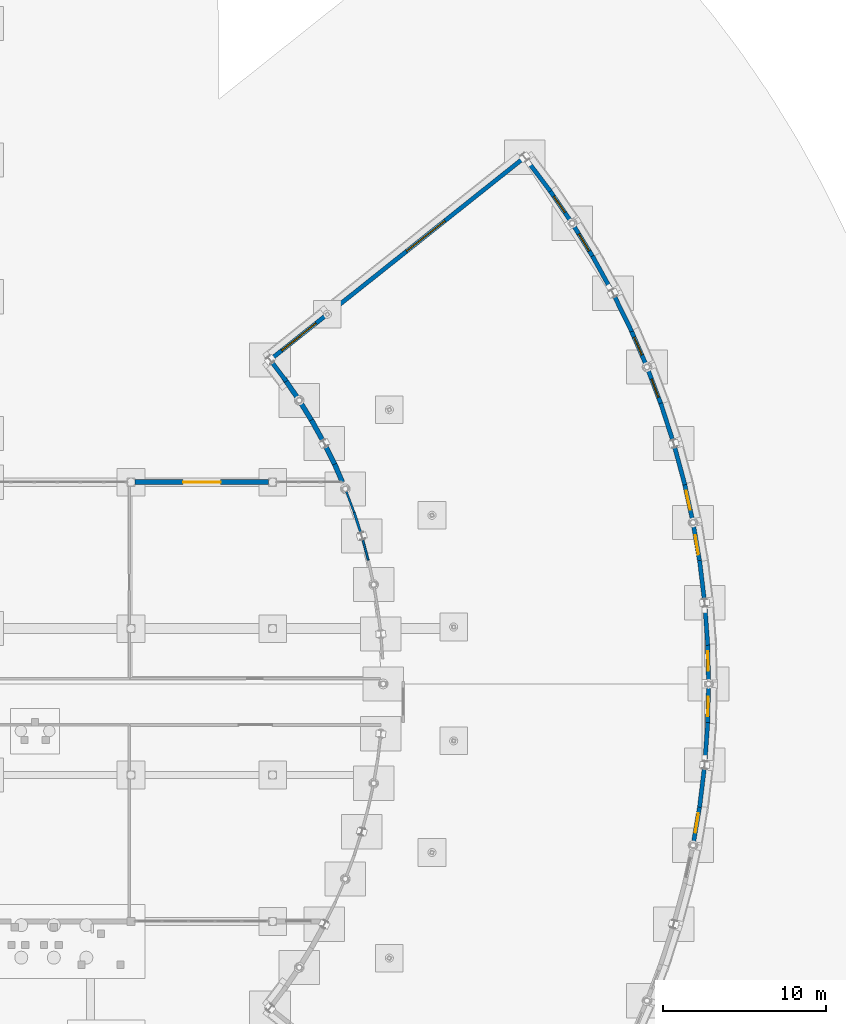
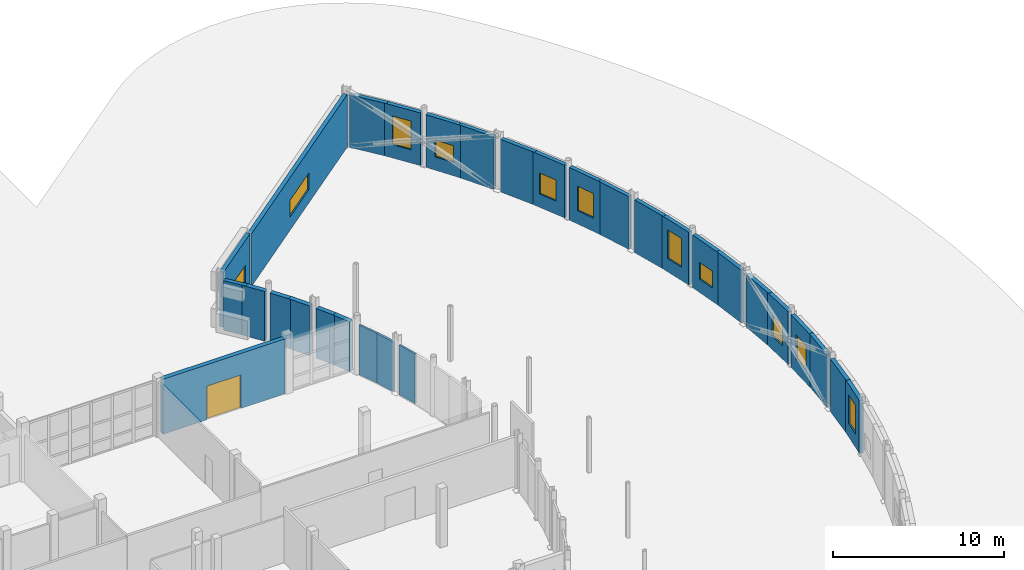
# One storey, part 66 of 88: 30 walls, 11 windows, 1 door, 12 openings.
"""IFC4 building model written with IfcOpenShell, lengths in metres."""

from ifc_helpers import new_model, si_unit, direction, frame, frame_2d, origin, place, context, subcontext, project, spatial, rectangle, extrude, material, layer, layer_set, type_object, element, fill, save


model = new_model("IFC4")

# Units and contexts
model_context = context("Model", 3, precision=1e-05, world=origin(), true_north=direction((0.0, 1.0)))
body_context = subcontext(model_context, "Body", "Model", "MODEL_VIEW")
ifc_project = project(units=[si_unit("LENGTHUNIT", "METRE"), si_unit("AREAUNIT", "SQUARE_METRE"), si_unit("VOLUMEUNIT", "CUBIC_METRE"), si_unit("PLANEANGLEUNIT", "RADIAN"), si_unit("MASSUNIT", "GRAM", prefix="KILO")], contexts=[model_context])

# Site, building, storey
site_placement = place(None, origin())
site = spatial("IfcSite", under=ifc_project, at=site_placement, CompositionType="ELEMENT")
building_placement = place(site_placement, origin())
building = spatial("IfcBuilding", under=site, at=building_placement, Name="Vanh Quang Courtyard School", CompositionType="ELEMENT")
storey_placement = place(building_placement, origin())
storey = spatial("IfcBuildingStorey", under=building, at=storey_placement, Name="L00", CompositionType="ELEMENT", Elevation=0.0)

# Wall
ifc_material_1 = material(Name="Precast concrete C40/50", Category="concrete")
ifc_layer_1 = layer(ifc_material_1, 0.260009765625)
ifc_layer_set_1 = layer_set([ifc_layer_1], Name="Precast concrete C40/50")
wall_type_1 = type_object("IfcWallType", Name="W-EXT-260", PredefinedType="SOLIDWALL", material=ifc_layer_set_1)
wall_1_placement = place(storey_placement, frame((138.042724609375, 74.600341796875, 0.0), z_axis=(0.0, 0.0, 1.0), x_axis=(-0.603492572952, 0.797368618891, 0.0)))
element("IfcWall", 1, at=wall_1_placement, inside=storey, type_object=wall_type_1, Name="Wall WE-02 (L00)", PredefinedType="SOLIDWALL", context=body_context, shape_type="SweptSolid", body=[
    extrude(rectangle(XDim=1.42919921875, YDim=0.260009765625, at=frame_2d((0.714599609375, 0.0))), origin(), (0.0, 0.0, 1.0), 3.5400390625),
])

# Wall, opening, window
wall_2_placement = place(storey_placement, frame((137.1591796875, 76.0126953125, 0.0), z_axis=(0.0, 0.0, 1.0), x_axis=(0.782633537419, 0.622482727557, 0.0)))
wall_2 = element("IfcWall", 2, at=wall_2_placement, inside=storey, type_object=wall_type_1, Name="Wall WE-02 (L00)", PredefinedType="SOLIDWALL", context=body_context, shape_type="SweptSolid", body=[
    extrude(rectangle(XDim=4.244140625, YDim=0.260009765625, at=frame_2d((2.1220703125, 0.0))), origin(), (0.0, 0.0, 1.0), 3.919921875),
])
opening_1_placement = place(wall_2_placement, frame((0.77197265625, 0.0, 0.949951171875)))
opening_1 = element("IfcOpeningElement", 3, at=opening_1_placement, cuts=wall_2, Name="Opening WN-06", PredefinedType="OPENING", context=body_context, shape_type="SweptSolid", body=[
    extrude(rectangle(XDim=2.699951171875, YDim=1.199951171875, at=frame_2d((1.35009765625, 0.60009765625))), frame((0.0, 0.14013671875, 0.0), z_axis=(0.0, -1.0, 0.0), x_axis=(1.0, 0.0, 0.0)), (0.0, 0.0, 1.0), 0.280029296875),
])
ifc_material_2 = material(Name="Anodised aluminium and low-E double glazing", Category="aluminium")
window_type_1 = type_object("IfcWindowType", Name="WIN-TYP-06", PartitioningType="SINGLE_PANEL", PredefinedType="WINDOW", material=ifc_material_2)
window_1_placement = place(opening_1_placement, origin())
window_1 = element("IfcWindow", 4, at=window_1_placement, inside=storey, type_object=window_type_1, Name="Window WN-06 (L00)", OverallHeight=1.199951171875, OverallWidth=2.699951171875, PartitioningType="SINGLE_PANEL", PredefinedType="WINDOW", context=body_context, shape_type="SweptSolid", body=[
    extrude(rectangle(XDim=2.699951171875, YDim=1.199951171875, at=frame_2d((1.35009765625, 0.60009765625))), frame((0.0, 0.030029296875, 0.0), z_axis=(0.0, -1.0, 0.0), x_axis=(1.0, 0.0, 0.0)), (0.0, 0.0, 1.0), 0.06005859375),
])
fill(opening_1, window_1)

wall_3_placement = place(storey_placement, frame((140.649658203125, 78.7890625, 0.0), z_axis=(0.0, 0.0, 1.0), x_axis=(0.782606374022, 0.622516877956, 0.0)))
wall_3 = element("IfcWall", 5, at=wall_3_placement, inside=storey, type_object=wall_type_1, Name="Wall WE-02 (L00)", PredefinedType="SOLIDWALL", context=body_context, shape_type="SweptSolid", body=[
    extrude(rectangle(XDim=15.244140625, YDim=0.260009765625, at=frame_2d((7.6220703125, 0.0))), origin(), (0.0, 0.0, 1.0), 3.760009765625),
])
opening_2_placement = place(wall_3_placement, frame((6.1220703125, 0.0, 0.949951171875)))
opening_2 = element("IfcOpeningElement", 6, at=opening_2_placement, cuts=wall_3, Name="Opening WN-07", PredefinedType="OPENING", context=body_context, shape_type="SweptSolid", body=[
    extrude(rectangle(XDim=3.0, YDim=1.199951171875, at=frame_2d((1.5, 0.60009765625))), frame((0.0, 0.14013671875, 0.0), z_axis=(0.0, -1.0, 0.0), x_axis=(1.0, 0.0, 0.0)), (0.0, 0.0, 1.0), 0.280029296875),
])
window_type_2 = type_object("IfcWindowType", Name="WIN-TYP-07", PartitioningType="SINGLE_PANEL", PredefinedType="WINDOW", material=ifc_material_2)
window_2_placement = place(opening_2_placement, origin())
window_2 = element("IfcWindow", 7, at=window_2_placement, inside=storey, type_object=window_type_2, Name="Window WN-07 (L00)", OverallHeight=1.199951171875, OverallWidth=3.0, PartitioningType="SINGLE_PANEL", PredefinedType="WINDOW", context=body_context, shape_type="SweptSolid", body=[
    extrude(rectangle(XDim=3.0, YDim=1.199951171875, at=frame_2d((1.5, 0.60009765625))), frame((0.0, 0.030029296875, 0.0), z_axis=(0.0, -1.0, 0.0), x_axis=(1.0, 0.0, 0.0)), (0.0, 0.0, 1.0), 0.06005859375),
])
fill(opening_2, window_2)

# Wall
wall_4_placement = place(storey_placement, frame((152.844482421875, 88.17431640625, 0.0), z_axis=(0.0, 0.0, 1.0), x_axis=(0.603506427187, -0.797358133052, 0.0)))
element("IfcWall", 8, at=wall_4_placement, inside=storey, type_object=wall_type_1, Name="Wall WE-02 (L00)", PredefinedType="SOLIDWALL", context=body_context, shape_type="SweptSolid", body=[
    extrude(rectangle(XDim=2.368896484375, YDim=0.260009765625, at=frame_2d((1.1845703125, 0.0))), origin(), (0.0, 0.0, 1.0), 3.760009765625),
])

# Wall, opening, window
wall_5_placement = place(storey_placement, frame((154.134033203125, 86.47998046875, 0.0), z_axis=(0.0, 0.0, 1.0), x_axis=(0.564658805035, -0.825324441596, 0.0)))
wall_5 = element("IfcWall", 9, at=wall_5_placement, inside=storey, type_object=wall_type_1, Name="Wall WE-02 (L00)", PredefinedType="SOLIDWALL", context=body_context, shape_type="SweptSolid", body=[
    extrude(rectangle(XDim=2.43994140625, YDim=0.260009765625, at=frame_2d((1.219970703125, 0.0))), origin(), (0.0, 0.0, 1.0), 3.760009765625),
])
opening_3_placement = place(wall_5_placement, frame((0.619873046875, 0.0, 0.949951171875)))
opening_3 = element("IfcOpeningElement", 10, at=opening_3_placement, cuts=wall_5, Name="Opening WN-28", PredefinedType="OPENING", context=body_context, shape_type="SweptSolid", body=[
    extrude(rectangle(XDim=1.199951171875, YDim=2.050048828125, at=frame_2d((0.60009765625, 1.02490234375))), frame((0.0, 0.14013671875, 0.0), z_axis=(0.0, -1.0, 0.0), x_axis=(1.0, 0.0, 0.0)), (0.0, 0.0, 1.0), 0.280029296875),
])
window_type_3 = type_object("IfcWindowType", Name="WIN-TYP-28", PartitioningType="SINGLE_PANEL", PredefinedType="WINDOW", material=ifc_material_2)
window_3_placement = place(opening_3_placement, origin())
window_3 = element("IfcWindow", 11, at=window_3_placement, inside=storey, type_object=window_type_3, Name="Window WN-28 (L00)", OverallHeight=2.050048828125, OverallWidth=1.199951171875, PartitioningType="SINGLE_PANEL", PredefinedType="WINDOW", context=body_context, shape_type="SweptSolid", body=[
    extrude(rectangle(XDim=1.199951171875, YDim=2.050048828125, at=frame_2d((0.60009765625, 1.02490234375))), frame((0.0, 0.030029296875, 0.0), z_axis=(0.0, -1.0, 0.0), x_axis=(1.0, 0.0, 0.0)), (0.0, 0.0, 1.0), 0.06005859375),
])
fill(opening_3, window_3)

wall_6_placement = place(storey_placement, frame((155.703125, 84.17138671875, 0.0), z_axis=(0.0, 0.0, 1.0), x_axis=(0.524365397626, -0.851493352747, 0.0)))
wall_6 = element("IfcWall", 12, at=wall_6_placement, inside=storey, type_object=wall_type_1, Name="Wall WE-02 (L00)", PredefinedType="SOLIDWALL", context=body_context, shape_type="SweptSolid", body=[
    extrude(rectangle(XDim=2.439697265625, YDim=0.260009765625, at=frame_2d((1.2197265625, 0.0))), origin(), (0.0, 0.0, 1.0), 3.760009765625),
])
opening_4_placement = place(wall_6_placement, frame((0.619873046875, 0.0, 0.949951171875)))
opening_4 = element("IfcOpeningElement", 13, at=opening_4_placement, cuts=wall_6, Name="Opening WN-01", PredefinedType="OPENING", context=body_context, shape_type="SweptSolid", body=[
    extrude(rectangle(XDim=1.199951171875, YDim=1.199951171875, at=frame_2d((0.60009765625, 0.60009765625))), frame((0.0, 0.14013671875, 0.0), z_axis=(0.0, -1.0, 0.0), x_axis=(1.0, 0.0, 0.0)), (0.0, 0.0, 1.0), 0.280029296875),
])
window_type_4 = type_object("IfcWindowType", Name="WIN-TYP-01", PartitioningType="SINGLE_PANEL", PredefinedType="WINDOW", material=ifc_material_2)
window_4_placement = place(opening_4_placement, origin())
window_4 = element("IfcWindow", 14, at=window_4_placement, inside=storey, type_object=window_type_4, Name="Window WN-01 (L00)", OverallHeight=1.199951171875, OverallWidth=1.199951171875, PartitioningType="SINGLE_PANEL", PredefinedType="WINDOW", context=body_context, shape_type="SweptSolid", body=[
    extrude(rectangle(XDim=1.199951171875, YDim=1.199951171875, at=frame_2d((0.60009765625, 0.60009765625))), frame((0.0, 0.030029296875, 0.0), z_axis=(0.0, -1.0, 0.0), x_axis=(1.0, 0.0, 0.0)), (0.0, 0.0, 1.0), 0.06005859375),
])
fill(opening_4, window_4)

# Walls
wall_7_placement = place(storey_placement, frame((156.861328125, 82.30126953125, 0.0), z_axis=(0.0, 0.0, 1.0), x_axis=(0.482998338587, -0.87562126797, 0.0)))
element("IfcWall", 15, at=wall_7_placement, inside=storey, type_object=wall_type_1, Name="Wall WE-02 (L00)", PredefinedType="SOLIDWALL", context=body_context, shape_type="SweptSolid", body=[
    extrude(rectangle(XDim=2.369140625, YDim=0.260009765625, at=frame_2d((1.1845703125, 0.0))), origin(), (0.0, 0.0, 1.0), 3.760009765625),
])
wall_8_placement = place(storey_placement, frame((158.233154296875, 79.78955078125, 0.0), z_axis=(0.0, 0.0, 1.0), x_axis=(0.440274522074, -0.897863210747, 0.0)))
element("IfcWall", 16, at=wall_8_placement, inside=storey, type_object=wall_type_1, Name="Wall WE-02 (L00)", PredefinedType="SOLIDWALL", context=body_context, shape_type="SweptSolid", body=[
    extrude(rectangle(XDim=2.368896484375, YDim=0.260009765625, at=frame_2d((1.1845703125, 0.0))), origin(), (0.0, 0.0, 1.0), 3.760009765625),
])

# Wall, opening, window
wall_9_placement = place(storey_placement, frame((159.17578125, 77.880615234375, 0.0), z_axis=(0.0, 0.0, 1.0), x_axis=(0.396731161263, -0.917934848278, 0.0)))
wall_9 = element("IfcWall", 17, at=wall_9_placement, inside=storey, type_object=wall_type_1, Name="Wall WE-02 (L00)", PredefinedType="SOLIDWALL", context=body_context, shape_type="SweptSolid", body=[
    extrude(rectangle(XDim=2.43994140625, YDim=0.260009765625, at=frame_2d((1.219970703125, 0.0))), origin(), (0.0, 0.0, 1.0), 3.760009765625),
])
opening_5_placement = place(wall_9_placement, frame((0.619873046875, 0.0, 0.949951171875)))
opening_5 = element("IfcOpeningElement", 18, at=opening_5_placement, cuts=wall_9, Name="Opening WN-10", PredefinedType="OPENING", context=body_context, shape_type="SweptSolid", body=[
    extrude(rectangle(XDim=1.199951171875, YDim=1.5, at=frame_2d((0.60009765625, 0.75))), frame((0.0, 0.14013671875, 0.0), z_axis=(0.0, -1.0, 0.0), x_axis=(1.0, 0.0, 0.0)), (0.0, 0.0, 1.0), 0.280029296875),
])
window_type_5 = type_object("IfcWindowType", Name="WIN-TYP-10", PartitioningType="SINGLE_PANEL", PredefinedType="WINDOW", material=ifc_material_2)
window_5_placement = place(opening_5_placement, origin())
window_5 = element("IfcWindow", 19, at=window_5_placement, inside=storey, type_object=window_type_5, Name="Window WN-10 (L00)", OverallHeight=1.5, OverallWidth=1.199951171875, PartitioningType="SINGLE_PANEL", PredefinedType="WINDOW", context=body_context, shape_type="SweptSolid", body=[
    extrude(rectangle(XDim=1.199951171875, YDim=1.5, at=frame_2d((0.60009765625, 0.75))), frame((0.0, 0.030029296875, 0.0), z_axis=(0.0, -1.0, 0.0), x_axis=(1.0, 0.0, 0.0)), (0.0, 0.0, 1.0), 0.06005859375),
])
fill(opening_5, window_5)

wall_10_placement = place(storey_placement, frame((160.275390625, 75.31494140625, 0.0), z_axis=(0.0, 0.0, 1.0), x_axis=(0.352318417042, -0.935880191591, 0.0)))
wall_10 = element("IfcWall", 20, at=wall_10_placement, inside=storey, type_object=wall_type_1, Name="Wall WE-02 (L00)", PredefinedType="SOLIDWALL", context=body_context, shape_type="SweptSolid", body=[
    extrude(rectangle(XDim=2.43994140625, YDim=0.260009765625, at=frame_2d((1.219970703125, 0.0))), origin(), (0.0, 0.0, 1.0), 3.760009765625),
])
opening_6_placement = place(wall_10_placement, frame((0.619873046875, 0.0, 0.949951171875)))
opening_6 = element("IfcOpeningElement", 21, at=opening_6_placement, cuts=wall_10, Name="Opening WN-19", PredefinedType="OPENING", context=body_context, shape_type="SweptSolid", body=[
    extrude(rectangle(XDim=1.199951171875, YDim=1.75, at=frame_2d((0.60009765625, 0.875))), frame((0.0, 0.14013671875, 0.0), z_axis=(0.0, -1.0, 0.0), x_axis=(1.0, 0.0, 0.0)), (0.0, 0.0, 1.0), 0.280029296875),
])
window_type_6 = type_object("IfcWindowType", Name="WIN-TYP-19", PartitioningType="SINGLE_PANEL", PredefinedType="WINDOW", material=ifc_material_2)
window_6_placement = place(opening_6_placement, origin())
window_6 = element("IfcWindow", 22, at=window_6_placement, inside=storey, type_object=window_type_6, Name="Window WN-19 (L00)", OverallHeight=1.75, OverallWidth=1.199951171875, PartitioningType="SINGLE_PANEL", PredefinedType="WINDOW", context=body_context, shape_type="SweptSolid", body=[
    extrude(rectangle(XDim=1.199951171875, YDim=1.75, at=frame_2d((0.60009765625, 0.875))), frame((0.0, 0.030029296875, 0.0), z_axis=(0.0, -1.0, 0.0), x_axis=(1.0, 0.0, 0.0)), (0.0, 0.0, 1.0), 0.06005859375),
])
fill(opening_6, window_6)

# Walls
for number, where, z_axis, x_axis, name in (
    (23, (161.055908203125, 73.258056640625, 0.0), (0.0, 0.0, 1.0), (0.306906422614, -0.951739695378, 0.0), "Wall WE-02 (L00)"),
    (24, (161.9228515625, 70.53076171875, 0.0), (0.0, 0.0, 1.0), (0.260945365705, -0.965353570521, 0.0), "Wall WE-02 (L00)"),
):
    element("IfcWall", number, at=place(storey_placement, frame(where, z_axis=z_axis, x_axis=x_axis)), inside=storey, type_object=wall_type_1, Name=name, PredefinedType="SOLIDWALL", context=body_context, shape_type="SweptSolid", body=[
        extrude(rectangle(XDim=2.368896484375, YDim=0.260009765625, at=frame_2d((1.1845703125, 0.0))), origin(), (0.0, 0.0, 1.0), 3.760009765625),
    ])

# Wall, opening, window
wall_11_placement = place(storey_placement, frame((162.484130859375, 68.476806640625, 0.0), z_axis=(0.0, 0.0, 1.0), x_axis=(0.214248952658, -0.97677908776, 0.0)))
wall_11 = element("IfcWall", 25, at=wall_11_placement, inside=storey, type_object=wall_type_1, Name="Wall WE-02 (L00)", PredefinedType="SOLIDWALL", context=body_context, shape_type="SweptSolid", body=[
    extrude(rectangle(XDim=2.439697265625, YDim=0.260009765625, at=frame_2d((1.2197265625, 0.0))), origin(), (0.0, 0.0, 1.0), 3.760009765625),
])
opening_7_placement = place(wall_11_placement, frame((0.619873046875, 0.0, 0.949951171875)))
opening_7 = element("IfcOpeningElement", 26, at=opening_7_placement, cuts=wall_11, Name="Opening WN-28", PredefinedType="OPENING", context=body_context, shape_type="SweptSolid", body=[
    extrude(rectangle(XDim=1.199951171875, YDim=2.050048828125, at=frame_2d((0.60009765625, 1.02490234375))), frame((0.0, 0.14013671875, 0.0), z_axis=(0.0, -1.0, 0.0), x_axis=(1.0, 0.0, 0.0)), (0.0, 0.0, 1.0), 0.280029296875),
])
window_7_placement = place(opening_7_placement, origin())
window_7 = element("IfcWindow", 27, at=window_7_placement, inside=storey, type_object=window_type_3, Name="Window WN-28 (L00)", OverallHeight=2.050048828125, OverallWidth=1.199951171875, PartitioningType="SINGLE_PANEL", PredefinedType="WINDOW", context=body_context, shape_type="SweptSolid", body=[
    extrude(rectangle(XDim=1.199951171875, YDim=2.050048828125, at=frame_2d((0.60009765625, 1.02490234375))), frame((0.0, 0.030029296875, 0.0), z_axis=(0.0, -1.0, 0.0), x_axis=(1.0, 0.0, 0.0)), (0.0, 0.0, 1.0), 0.06005859375),
])
fill(opening_7, window_7)

wall_12_placement = place(storey_placement, frame((163.073974609375, 65.748779296875, 0.0), z_axis=(0.0, 0.0, 1.0), x_axis=(0.16720549815, -0.98592206659, 0.0)))
wall_12 = element("IfcWall", 28, at=wall_12_placement, inside=storey, type_object=wall_type_1, Name="Wall WE-02 (L00)", PredefinedType="SOLIDWALL", context=body_context, shape_type="SweptSolid", body=[
    extrude(rectangle(XDim=2.43994140625, YDim=0.260009765625, at=frame_2d((1.219970703125, 0.0))), origin(), (0.0, 0.0, 1.0), 3.760009765625),
])
opening_8_placement = place(wall_12_placement, frame((0.6201171875, 0.0, 0.949951171875)))
opening_8 = element("IfcOpeningElement", 29, at=opening_8_placement, cuts=wall_12, Name="Opening WN-01", PredefinedType="OPENING", context=body_context, shape_type="SweptSolid", body=[
    extrude(rectangle(XDim=1.199951171875, YDim=1.199951171875, at=frame_2d((0.60009765625, 0.60009765625))), frame((0.0, 0.14013671875, 0.0), z_axis=(0.0, -1.0, 0.0), x_axis=(1.0, 0.0, 0.0)), (0.0, 0.0, 1.0), 0.280029296875),
])
window_8_placement = place(opening_8_placement, origin())
window_8 = element("IfcWindow", 30, at=window_8_placement, inside=storey, type_object=window_type_4, Name="Window WN-01 (L00)", OverallHeight=1.199951171875, OverallWidth=1.199951171875, PartitioningType="SINGLE_PANEL", PredefinedType="WINDOW", context=body_context, shape_type="SweptSolid", body=[
    extrude(rectangle(XDim=1.199951171875, YDim=1.199951171875, at=frame_2d((0.60009765625, 0.60009765625))), frame((0.0, 0.030029296875, 0.0), z_axis=(0.0, -1.0, 0.0), x_axis=(1.0, 0.0, 0.0)), (0.0, 0.0, 1.0), 0.06005859375),
])
fill(opening_8, window_8)

# Walls
wall_13_placement = place(storey_placement, frame((163.447509765625, 63.580810546875, 0.0), z_axis=(0.0, 0.0, 1.0), x_axis=(0.119746607253, -0.992804487324, 0.0)))
element("IfcWall", 31, at=wall_13_placement, inside=storey, type_object=wall_type_1, Name="Wall WE-02 (L00)", PredefinedType="SOLIDWALL", context=body_context, shape_type="SweptSolid", body=[
    extrude(rectangle(XDim=2.369140625, YDim=0.260009765625, at=frame_2d((1.1845703125, 0.0))), origin(), (0.0, 0.0, 1.0), 3.760009765625),
])
wall_14_placement = place(storey_placement, frame((163.7783203125, 60.738037109375, 0.0), z_axis=(0.0, 0.0, 1.0), x_axis=(0.07193549102, -0.997409286668, 0.0)))
element("IfcWall", 32, at=wall_14_placement, inside=storey, type_object=wall_type_1, Name="Wall WE-02 (L00)", PredefinedType="SOLIDWALL", context=body_context, shape_type="SweptSolid", body=[
    extrude(rectangle(XDim=2.368896484375, YDim=0.260009765625, at=frame_2d((1.1845703125, 0.0))), origin(), (0.0, 0.0, 1.0), 3.760009765625),
])

# Wall, opening, window
wall_15_placement = place(storey_placement, frame((163.937255859375, 58.614990234375, 0.0), z_axis=(0.0, 0.0, 1.0), x_axis=(0.024014691759, -0.999711605704, 0.0)))
wall_15 = element("IfcWall", 33, at=wall_15_placement, inside=storey, type_object=wall_type_1, Name="Wall WE-02 (L00)", PredefinedType="SOLIDWALL", context=body_context, shape_type="SweptSolid", body=[
    extrude(rectangle(XDim=2.43994140625, YDim=0.260009765625, at=frame_2d((1.219970703125, 0.0))), origin(), (0.0, 0.0, 1.0), 3.760009765625),
])
opening_9_placement = place(wall_15_placement, frame((0.6201171875, 0.0, 0.949951171875)))
opening_9 = element("IfcOpeningElement", 34, at=opening_9_placement, cuts=wall_15, Name="Opening WN-10", PredefinedType="OPENING", context=body_context, shape_type="SweptSolid", body=[
    extrude(rectangle(XDim=1.199951171875, YDim=1.5, at=frame_2d((0.60009765625, 0.75))), frame((0.0, 0.14013671875, 0.0), z_axis=(0.0, -1.0, 0.0), x_axis=(1.0, 0.0, 0.0)), (0.0, 0.0, 1.0), 0.280029296875),
])
window_9_placement = place(opening_9_placement, origin())
window_9 = element("IfcWindow", 35, at=window_9_placement, inside=storey, type_object=window_type_5, Name="Window WN-10 (L00)", OverallHeight=1.5, OverallWidth=1.199951171875, PartitioningType="SINGLE_PANEL", PredefinedType="WINDOW", context=body_context, shape_type="SweptSolid", body=[
    extrude(rectangle(XDim=1.199951171875, YDim=1.5, at=frame_2d((0.60009765625, 0.75))), frame((0.0, 0.030029296875, 0.0), z_axis=(0.0, -1.0, 0.0), x_axis=(1.0, 0.0, 0.0)), (0.0, 0.0, 1.0), 0.06005859375),
])
fill(opening_9, window_9)

wall_16_placement = place(storey_placement, frame((163.995849609375, 55.82421875, 0.0), z_axis=(0.0, 0.0, 1.0), x_axis=(-0.024014691759, -0.999711605704, 0.0)))
wall_16 = element("IfcWall", 36, at=wall_16_placement, inside=storey, type_object=wall_type_1, Name="Wall WE-02 (L00)", PredefinedType="SOLIDWALL", context=body_context, shape_type="SweptSolid", body=[
    extrude(rectangle(XDim=2.43994140625, YDim=0.260009765625, at=frame_2d((1.219970703125, 0.0))), origin(), (0.0, 0.0, 1.0), 3.760009765625),
])
opening_10_placement = place(wall_16_placement, frame((0.6201171875, 0.0, 0.949951171875)))
opening_10 = element("IfcOpeningElement", 37, at=opening_10_placement, cuts=wall_16, Name="Opening WN-19", PredefinedType="OPENING", context=body_context, shape_type="SweptSolid", body=[
    extrude(rectangle(XDim=1.199951171875, YDim=1.75, at=frame_2d((0.60009765625, 0.875))), frame((0.0, 0.14013671875, 0.0), z_axis=(0.0, -1.0, 0.0), x_axis=(1.0, 0.0, 0.0)), (0.0, 0.0, 1.0), 0.280029296875),
])
window_10_placement = place(opening_10_placement, origin())
window_10 = element("IfcWindow", 38, at=window_10_placement, inside=storey, type_object=window_type_6, Name="Window WN-19 (L00)", OverallHeight=1.75, OverallWidth=1.199951171875, PartitioningType="SINGLE_PANEL", PredefinedType="WINDOW", context=body_context, shape_type="SweptSolid", body=[
    extrude(rectangle(XDim=1.199951171875, YDim=1.75, at=frame_2d((0.60009765625, 0.875))), frame((0.0, 0.030029296875, 0.0), z_axis=(0.0, -1.0, 0.0), x_axis=(1.0, 0.0, 0.0)), (0.0, 0.0, 1.0), 0.06005859375),
])
fill(opening_10, window_10)

# Walls
wall_17_placement = place(storey_placement, frame((163.94873046875, 53.624755859375, 0.0), z_axis=(0.0, 0.0, 1.0), x_axis=(-0.07193549102, -0.997409286668, 0.0)))
element("IfcWall", 39, at=wall_17_placement, inside=storey, type_object=wall_type_1, Name="Wall WE-02 (L00)", PredefinedType="SOLIDWALL", context=body_context, shape_type="SweptSolid", body=[
    extrude(rectangle(XDim=2.368896484375, YDim=0.260009765625, at=frame_2d((1.1845703125, 0.0))), origin(), (0.0, 0.0, 1.0), 3.760009765625),
])
wall_18_placement = place(storey_placement, frame((163.731201171875, 50.771240234375, 0.0), z_axis=(0.0, 0.0, 1.0), x_axis=(-0.119746607253, -0.992804487324, 0.0)))
element("IfcWall", 40, at=wall_18_placement, inside=storey, type_object=wall_type_1, Name="Wall WE-02 (L00)", PredefinedType="SOLIDWALL", context=body_context, shape_type="SweptSolid", body=[
    extrude(rectangle(XDim=2.369140625, YDim=0.260009765625, at=frame_2d((1.1845703125, 0.0))), origin(), (0.0, 0.0, 1.0), 3.760009765625),
])

# Wall, opening, window
wall_19_placement = place(storey_placement, frame((163.48193359375, 48.65673828125, 0.0), z_axis=(0.0, 0.0, 1.0), x_axis=(-0.16720549815, -0.98592206659, 0.0)))
wall_19 = element("IfcWall", 41, at=wall_19_placement, inside=storey, type_object=wall_type_1, Name="Wall WE-02 (L00)", PredefinedType="SOLIDWALL", context=body_context, shape_type="SweptSolid", body=[
    extrude(rectangle(XDim=2.43994140625, YDim=0.260009765625, at=frame_2d((1.219970703125, 0.0))), origin(), (0.0, 0.0, 1.0), 3.760009765625),
])
opening_11_placement = place(wall_19_placement, frame((0.6201171875, 0.0, 0.949951171875)))
opening_11 = element("IfcOpeningElement", 42, at=opening_11_placement, cuts=wall_19, Name="Opening WN-28", PredefinedType="OPENING", context=body_context, shape_type="SweptSolid", body=[
    extrude(rectangle(XDim=1.199951171875, YDim=2.050048828125, at=frame_2d((0.60009765625, 1.02490234375))), frame((0.0, 0.14013671875, 0.0), z_axis=(0.0, -1.0, 0.0), x_axis=(1.0, 0.0, 0.0)), (0.0, 0.0, 1.0), 0.280029296875),
])
window_11_placement = place(opening_11_placement, origin())
window_11 = element("IfcWindow", 43, at=window_11_placement, inside=storey, type_object=window_type_3, Name="Window WN-28 (L00)", OverallHeight=2.050048828125, OverallWidth=1.199951171875, PartitioningType="SINGLE_PANEL", PredefinedType="WINDOW", context=body_context, shape_type="SweptSolid", body=[
    extrude(rectangle(XDim=1.199951171875, YDim=2.050048828125, at=frame_2d((0.60009765625, 1.02490234375))), frame((0.0, 0.030029296875, 0.0), z_axis=(0.0, -1.0, 0.0), x_axis=(1.0, 0.0, 0.0)), (0.0, 0.0, 1.0), 0.06005859375),
])
fill(opening_11, window_11)

# Wall, opening, door
ifc_material_3 = material(Name="Concrete C35/45", Category="concrete")
ifc_layer_2 = layer(ifc_material_3, 0.300048828125)
ifc_layer_set_2 = layer_set([ifc_layer_2], Name="Concrete C35/45")
wall_type_2 = type_object("IfcWallType", Name="W-EXT-300", PredefinedType="SOLIDWALL", material=ifc_layer_set_2)
wall_20_placement = place(storey_placement, frame((128.748046875, 68.39990234375, 0.0), z_axis=(0.0, 0.0, 1.0), x_axis=(1.0, 0.0, 0.0)))
wall_20 = element("IfcWall", 44, at=wall_20_placement, inside=storey, type_object=wall_type_2, Name="Wall WE-01 (L00)", PredefinedType="SOLIDWALL", context=body_context, shape_type="SweptSolid", body=[
    extrude(rectangle(XDim=8.203857421875, YDim=0.300048828125, at=frame_2d((4.10205078125, 0.0))), origin(), (0.0, 0.0, 1.0), 3.919921875),
])
opening_12_placement = place(wall_20_placement, frame((2.951904296875, 0.0, 0.0)))
opening_12 = element("IfcOpeningElement", 45, at=opening_12_placement, cuts=wall_20, Name="Opening L00-EX22", PredefinedType="OPENING", context=body_context, shape_type="SweptSolid", body=[
    extrude(rectangle(XDim=2.300048828125, YDim=2.39990234375, at=frame_2d((1.14990234375, 1.199951171875))), frame((0.0, 0.16015625, 0.0), z_axis=(0.0, -1.0, 0.0), x_axis=(1.0, 0.0, 0.0)), (0.0, 0.0, 1.0), 0.320068359375),
])
ifc_material_4 = material(Name="Thermally broken aluminium and laminated safety glass", Category="aluminium")
door_type = type_object("IfcDoorType", Name="EDR-TYP-13", OperationType="NOTDEFINED", PredefinedType="DOOR", material=ifc_material_4)
door_placement = place(opening_12_placement, origin())
door = element("IfcDoor", 46, at=door_placement, inside=storey, type_object=door_type, Name="Door L00-EX22 (L00)", OperationType="DOUBLE_DOOR_SINGLE_SWING", OverallHeight=2.39990234375, OverallWidth=2.300048828125, PredefinedType="DOOR", context=body_context, shape_type="SweptSolid", body=[
    extrude(rectangle(XDim=2.300048828125, YDim=2.39990234375, at=frame_2d((1.14990234375, 1.199951171875))), frame((0.0, 0.02490234375, 0.0), z_axis=(0.0, -1.0, 0.0), x_axis=(1.0, 0.0, 0.0)), (0.0, 0.0, 1.0), 0.050048828125),
])
fill(opening_12, door)

# Walls
wall_21_placement = place(storey_placement, frame((141.49169921875, 68.39990234375, 0.0), z_axis=(0.0, 0.0, 1.0), x_axis=(-0.396823605791, 0.917894888256, 0.0)))
element("IfcWall", 47, at=wall_21_placement, inside=storey, type_object=wall_type_2, Name="Wall WE-01 (L00)", PredefinedType="SOLIDWALL", context=body_context, shape_type="SweptSolid", body=[
    extrude(rectangle(XDim=1.20654296875, YDim=0.300048828125, at=frame_2d((0.603271484375, 0.0))), origin(), (0.0, 0.0, 1.0), 3.5400390625),
])
for number, where, z_axis, x_axis, name in (
    (48, (141.11328125, 69.289306640625, 0.0), (0.0, 0.0, 1.0), (-0.440367841155, 0.897817444961, 0.0), "Wall WE-01 (L00)"),
    (49, (140.27490234375, 70.974365234375, 0.0), (0.0, 0.0, 1.0), (-0.482928309872, 0.875659892609, 0.0), "Wall WE-01 (L00)"),
):
    element("IfcWall", number, at=place(storey_placement, frame(where, z_axis=z_axis, x_axis=x_axis)), inside=storey, type_object=wall_type_2, Name=name, PredefinedType="SOLIDWALL", context=body_context, shape_type="SweptSolid", body=[
        extrude(rectangle(XDim=1.42919921875, YDim=0.300048828125, at=frame_2d((0.714599609375, 0.0))), origin(), (0.0, 0.0, 1.0), 3.5400390625),
    ])
for number, where, z_axis, x_axis, name in (
    (50, (139.70556640625, 72.0185546875, 0.0), (0.0, 0.0, 1.0), (-0.524263090117, 0.851556347132, 0.0), "Wall WE-01 (L00)"),
    (51, (138.73828125, 73.573486328125, 0.0), (0.0, 0.0, 1.0), (-0.56467208792, 0.825315353743, 0.0), "Wall WE-01 (L00)"),
):
    element("IfcWall", number, at=place(storey_placement, frame(where, z_axis=z_axis, x_axis=x_axis)), inside=storey, type_object=wall_type_2, Name=name, PredefinedType="SOLIDWALL", context=body_context, shape_type="SweptSolid", body=[
        extrude(rectangle(XDim=1.47998046875, YDim=0.300048828125, at=frame_2d((0.739990234375, 0.0))), origin(), (0.0, 0.0, 1.0), 3.5400390625),
    ])
ifc_material_5 = material(Name="Acoustic gypsum stud partition", Category="gypsum")
ifc_layer_3 = layer(ifc_material_5, 0.1201171875)
ifc_layer_set_3 = layer_set([ifc_layer_3], Name="Acoustic gypsum stud partition")
wall_type_3 = type_object("IfcWallType", Name="W-PART-120", PredefinedType="PARTITIONING", material=ifc_layer_set_3)
wall_22_placement = place(storey_placement, frame((143.08349609375, 63.6025390625, 0.0), z_axis=(0.0, 0.0, 1.0), x_axis=(-0.260740388101, 0.965408954803, 0.0)))
element("IfcWall", 52, at=wall_22_placement, inside=storey, type_object=wall_type_3, Name="Wall W-PRT2 (L00)", PredefinedType="PARTITIONING", context=body_context, shape_type="SweptSolid", body=[
    extrude(rectangle(XDim=1.312744140625, YDim=0.1201171875, at=frame_2d((0.65625, 0.0))), origin(), (0.0, 0.0, 1.0), 3.5400390625),
])
wall_23_placement = place(storey_placement, frame((142.2119140625, 66.546875, 0.0), z_axis=(0.0, 0.0, 1.0), x_axis=(-0.352261479971, 0.935901623959, 0.0)))
element("IfcWall", 53, at=wall_23_placement, inside=storey, type_object=wall_type_3, Name="Wall W-PRT2 (L00)", PredefinedType="PARTITIONING", context=body_context, shape_type="SweptSolid", body=[
    extrude(rectangle(XDim=1.36328125, YDim=0.1201171875, at=frame_2d((0.681640625, 0.0))), origin(), (0.0, 0.0, 1.0), 3.5400390625),
])
ifc_material_6 = material(Name="Autoclaved aerated masonry blockwork", Category="masonry")
ifc_layer_4 = layer(ifc_material_6, 0.14990234375)
ifc_layer_set_4 = layer_set([ifc_layer_4], Name="Autoclaved aerated masonry blockwork")
wall_type_4 = type_object("IfcWallType", Name="W-PART-150", PredefinedType="PARTITIONING", material=ifc_layer_set_4)
wall_24_placement = place(storey_placement, frame((142.612548828125, 65.30419921875, 0.0), z_axis=(0.0, 0.0, 1.0), x_axis=(-0.306844339678, 0.951759712957, 0.0)))
element("IfcWall", 54, at=wall_24_placement, inside=storey, type_object=wall_type_4, Name="Wall W-PRT1 (L00)", PredefinedType="PARTITIONING", context=body_context, shape_type="SweptSolid", body=[
    extrude(rectangle(XDim=1.3056640625, YDim=0.14990234375, at=frame_2d((0.65283203125, 0.0))), origin(), (0.0, 0.0, 1.0), 3.5400390625),
])

save(model, "model.ifc")
